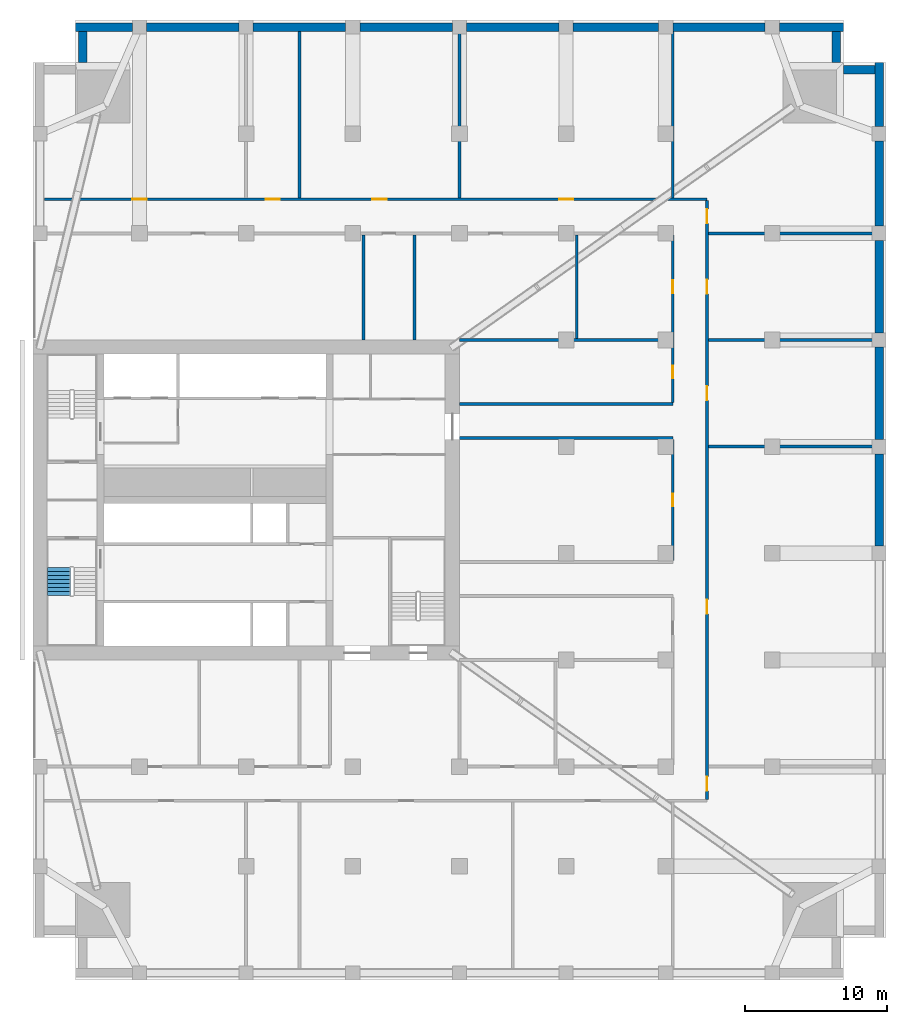
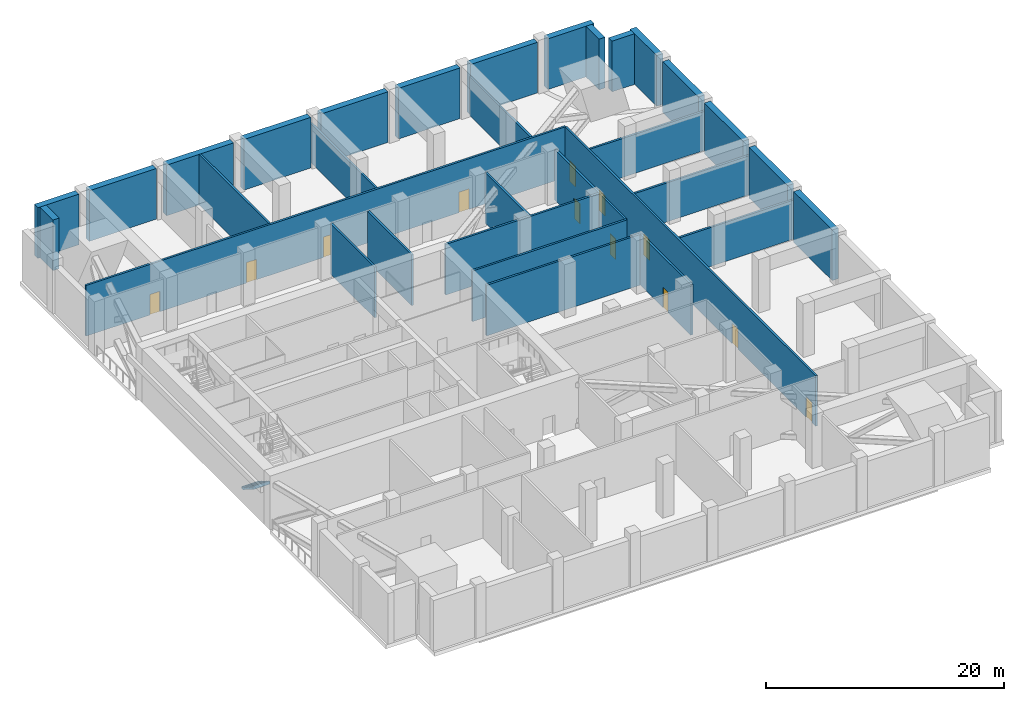
# One storey, part 5 of 10: 32 walls, 12 doors, 1 stair flight, 12 openings, 1 element without a shape of its own.
"""IFC4 building model written with IfcOpenShell, lengths in metres."""

from ifc_helpers import new_model, si_unit, direction, frame, frame_2d, origin, place, context, subcontext, project, spatial, polyline, rectangle, outline, extrude, material, layer, layer_set, type_object, element, fill, aggregate, save


model = new_model("IFC4")

# Units and contexts
model_context = context("Model", 3, precision=1e-05, world=origin(), true_north=direction((0.0, 1.0)))
body_context = subcontext(model_context, "Body", "Model", "MODEL_VIEW")
ifc_project = project(units=[si_unit("LENGTHUNIT", "METRE"), si_unit("AREAUNIT", "SQUARE_METRE"), si_unit("VOLUMEUNIT", "CUBIC_METRE"), si_unit("PLANEANGLEUNIT", "RADIAN"), si_unit("MASSUNIT", "GRAM", prefix="KILO")], contexts=[model_context])

# Site, building, storey
site_placement = place(None, origin())
site = spatial("IfcSite", under=ifc_project, at=site_placement, CompositionType="ELEMENT")
building_placement = place(site_placement, origin())
building = spatial("IfcBuilding", under=site, at=building_placement, Name="Tamorin Gate", CompositionType="ELEMENT")
storey_placement = place(building_placement, frame((0.0, 0.0, 118.699951171875)))
storey = spatial("IfcBuildingStorey", under=building, at=storey_placement, Name="L29", CompositionType="ELEMENT", Elevation=118.699951171875)

# Walls
ifc_material_1 = material(Name="Aluminium louvres in concrete frame", Category="concrete")
ifc_layer_1 = layer(ifc_material_1, 0.60009765625)
ifc_layer_set_1 = layer_set([ifc_layer_1], Name="Louvred plant wall 600")
wall_type_1 = type_object("IfcWallType", Name="Louvred plant wall 600", PredefinedType="ELEMENTEDWALL", material=ifc_layer_set_1)
for number, where, z_axis, x_axis, name in (
    (1, (89.5, 68.0, 0.0), (0.0, 0.0, 1.0), (0.0, 1.0, 0.0), "Louvred plant wall"),
    (2, (89.5, 75.5, 0.0), (0.0, 0.0, 1.0), (0.0, 1.0, 0.0), "Louvred plant wall"),
    (3, (89.5, 83.0, 0.0), (0.0, 0.0, 1.0), (0.0, 1.0, 0.0), "Louvred plant wall"),
):
    element("IfcWall", number, at=place(storey_placement, frame(where, z_axis=z_axis, x_axis=x_axis)), inside=storey, type_object=wall_type_1, Name=name, PredefinedType="ELEMENTEDWALL", context=body_context, shape_type="SweptSolid", body=[
        extrude(rectangle(XDim=6.5, YDim=0.60009765625, at=frame_2d((3.25, 0.0))), origin(), (0.0, 0.0, 1.0), 5.199951171875),
    ])
wall_1_placement = place(storey_placement, frame((89.5, 90.5, 0.0), z_axis=(0.0, 0.0, 1.0), x_axis=(0.0, 1.0, 0.0)))
element("IfcWall", 4, at=wall_1_placement, inside=storey, type_object=wall_type_1, Name="Louvred plant wall", PredefinedType="ELEMENTEDWALL", context=body_context, shape_type="SweptSolid", body=[
    extrude(rectangle(XDim=6.0, YDim=0.60009765625, at=frame_2d((3.0, 0.0))), origin(), (0.0, 0.0, 1.0), 5.199951171875),
])
wall_2_placement = place(storey_placement, frame((89.5, 97.5, 0.0), z_axis=(0.0, 0.0, 1.0), x_axis=(0.0, 1.0, 0.0)))
element("IfcWall", 5, at=wall_2_placement, inside=storey, type_object=wall_type_1, Name="Louvred plant wall", PredefinedType="ELEMENTEDWALL", context=body_context, shape_type="SweptSolid", body=[
    extrude(rectangle(XDim=4.5, YDim=0.60009765625, at=frame_2d((2.25, 0.0))), origin(), (0.0, 0.0, 1.0), 5.199951171875),
])
for number, where, z_axis, x_axis, name in (
    (6, (89.199951171875, 101.5, 0.0), (0.0, 0.0, 1.0), (-1.0, 0.0, 0.0), "Louvred plant wall"),
    (7, (86.5, 102.0, 0.0), (0.0, 0.0, 1.0), (0.0, 1.0, 0.0), "Louvred plant wall"),
):
    element("IfcWall", number, at=place(storey_placement, frame(where, z_axis=z_axis, x_axis=x_axis)), inside=storey, type_object=wall_type_1, Name=name, PredefinedType="ELEMENTEDWALL", context=body_context, shape_type="SweptSolid", body=[
        extrude(rectangle(XDim=2.199951171875, YDim=0.60009765625, at=frame_2d((1.10009765625, 0.0))), origin(), (0.0, 0.0, 1.0), 5.199951171875),
    ])
wall_3_placement = place(storey_placement, frame((87.0, 104.5, 0.0), z_axis=(0.0, 0.0, 1.0), x_axis=(-1.0, 0.0, 0.0)))
element("IfcWall", 8, at=wall_3_placement, inside=storey, type_object=wall_type_1, Name="Louvred plant wall", PredefinedType="ELEMENTEDWALL", context=body_context, shape_type="SweptSolid", body=[
    extrude(rectangle(XDim=4.5, YDim=0.60009765625, at=frame_2d((2.25, 0.0))), origin(), (0.0, 0.0, 1.0), 5.199951171875),
])
wall_4_placement = place(storey_placement, frame((81.5, 104.5, 0.0), z_axis=(0.0, 0.0, 1.0), x_axis=(-1.0, 0.0, 0.0)))
element("IfcWall", 9, at=wall_4_placement, inside=storey, type_object=wall_type_1, Name="Louvred plant wall", PredefinedType="ELEMENTEDWALL", context=body_context, shape_type="SweptSolid", body=[
    extrude(rectangle(XDim=6.5, YDim=0.60009765625, at=frame_2d((3.25, 0.0))), origin(), (0.0, 0.0, 1.0), 5.199951171875),
])
wall_5_placement = place(storey_placement, frame((74.0, 104.5, 0.0), z_axis=(0.0, 0.0, 1.0), x_axis=(-1.0, 0.0, 0.0)))
element("IfcWall", 10, at=wall_5_placement, inside=storey, type_object=wall_type_1, Name="Louvred plant wall", PredefinedType="ELEMENTEDWALL", context=body_context, shape_type="SweptSolid", body=[
    extrude(rectangle(XDim=6.0, YDim=0.60009765625, at=frame_2d((3.0, 0.0))), origin(), (0.0, 0.0, 1.0), 5.199951171875),
])
for number, where, z_axis, x_axis, name in (
    (11, (67.0, 104.5, 0.0), (0.0, 0.0, 1.0), (-1.0, 0.0, 0.0), "Louvred plant wall"),
    (12, (59.5, 104.5, 0.0), (0.0, 0.0, 1.0), (-1.0, 0.0, 0.0), "Louvred plant wall"),
    (13, (52.0, 104.5, 0.0), (0.0, 0.0, 1.0), (-1.0, 0.0, 0.0), "Louvred plant wall"),
    (14, (44.5, 104.5, 0.0), (0.0, 0.0, 1.0), (-1.0, 0.0, 0.0), "Louvred plant wall"),
):
    element("IfcWall", number, at=place(storey_placement, frame(where, z_axis=z_axis, x_axis=x_axis)), inside=storey, type_object=wall_type_1, Name=name, PredefinedType="ELEMENTEDWALL", context=body_context, shape_type="SweptSolid", body=[
        extrude(rectangle(XDim=6.5, YDim=0.60009765625, at=frame_2d((3.25, 0.0))), origin(), (0.0, 0.0, 1.0), 5.199951171875),
    ])
wall_6_placement = place(storey_placement, frame((37.0, 104.5, 0.0), z_axis=(0.0, 0.0, 1.0), x_axis=(-1.0, 0.0, 0.0)))
element("IfcWall", 15, at=wall_6_placement, inside=storey, type_object=wall_type_1, Name="Louvred plant wall", PredefinedType="ELEMENTEDWALL", context=body_context, shape_type="SweptSolid", body=[
    extrude(rectangle(XDim=4.0, YDim=0.60009765625, at=frame_2d((2.0, 0.0))), origin(), (0.0, 0.0, 1.0), 5.199951171875),
])
wall_7_placement = place(storey_placement, frame((33.5, 104.199951171875, 0.0), z_axis=(0.0, 0.0, 1.0), x_axis=(0.0, -1.0, 0.0)))
element("IfcWall", 16, at=wall_7_placement, inside=storey, type_object=wall_type_1, Name="Louvred plant wall", PredefinedType="ELEMENTEDWALL", context=body_context, shape_type="SweptSolid", body=[
    extrude(rectangle(XDim=2.199951171875, YDim=0.60009765625, at=frame_2d((1.10009765625, 0.0))), origin(), (0.0, 0.0, 1.0), 5.199951171875),
])
ifc_material_2 = material(Name="Gypsum board partition")
ifc_layer_2 = layer(ifc_material_2, 0.199951171875)
ifc_layer_set_2 = layer_set([ifc_layer_2], Name="Plant and refuge wall 200")
wall_type_2 = type_object("IfcWallType", Name="Plant and refuge wall 200", PredefinedType="PARTITIONING", material=ifc_layer_set_2)
wall_8_placement = place(storey_placement, frame((77.5, 75.0, 0.0), z_axis=(0.0, 0.0, 1.0), x_axis=(1.0, 0.0, 0.0)))
element("IfcWall", 17, at=wall_8_placement, inside=storey, type_object=wall_type_2, Name="Plant and refuge wall 200", PredefinedType="PARTITIONING", context=body_context, shape_type="SweptSolid", body=[
    extrude(rectangle(XDim=12.5, YDim=0.199951171875, at=frame_2d((6.25, 0.0))), origin(), (0.0, 0.0, 1.0), 4.0),
])
for number, where, z_axis, x_axis, name in (
    (18, (60.0, 75.60009765625, 0.0), (0.0, 0.0, 1.0), (1.0, 0.0, 0.0), "Plant and refuge wall 200"),
    (19, (60.0, 78.0, 0.0), (0.0, 0.0, 1.0), (1.0, 0.0, 0.0), "Plant and refuge wall 200"),
):
    element("IfcWall", number, at=place(storey_placement, frame(where, z_axis=z_axis, x_axis=x_axis)), inside=storey, type_object=wall_type_2, Name=name, PredefinedType="PARTITIONING", context=body_context, shape_type="SweptSolid", body=[
        extrude(rectangle(XDim=15.0, YDim=0.199951171875, at=frame_2d((7.5, 0.0))), origin(), (0.0, 0.0, 1.0), 5.199951171875),
    ])
wall_9_placement = place(storey_placement, frame((60.0, 82.5, 0.0), z_axis=(0.0, 0.0, 1.0), x_axis=(1.0, 0.0, 0.0)))
element("IfcWall", 20, at=wall_9_placement, inside=storey, type_object=wall_type_2, Name="Plant and refuge wall 200", PredefinedType="PARTITIONING", context=body_context, shape_type="SweptSolid", body=[
    extrude(rectangle(XDim=14.89990234375, YDim=0.199951171875, at=frame_2d((7.449951171875, 0.0))), origin(), (0.0, 0.0, 1.0), 5.199951171875),
])
for number, where, z_axis, x_axis, name in (
    (21, (77.5, 82.5, 0.0), (0.0, 0.0, 1.0), (1.0, 0.0, 0.0), "Plant and refuge wall 200"),
    (22, (77.5, 90.0, 0.0), (0.0, 0.0, 1.0), (1.0, 0.0, 0.0), "Plant and refuge wall 200"),
):
    element("IfcWall", number, at=place(storey_placement, frame(where, z_axis=z_axis, x_axis=x_axis)), inside=storey, type_object=wall_type_2, Name=name, PredefinedType="PARTITIONING", context=body_context, shape_type="SweptSolid", body=[
        extrude(rectangle(XDim=12.5, YDim=0.199951171875, at=frame_2d((6.25, 0.0))), origin(), (0.0, 0.0, 1.0), 4.0),
    ])

# Wall, openings, doors
wall_10_placement = place(storey_placement, frame((30.81005859375, 92.39990234375, 0.0), z_axis=(0.0, 0.0, 1.0), x_axis=(1.0, 0.0, 0.0)))
wall_10 = element("IfcWall", 23, at=wall_10_placement, inside=storey, type_object=wall_type_2, Name="Plant and refuge wall 200", PredefinedType="PARTITIONING", context=body_context, shape_type="SweptSolid", body=[
    extrude(rectangle(XDim=46.58984375, YDim=0.199951171875, at=frame_2d((23.294921875, 0.0))), origin(), (0.0, 0.0, 1.0), 5.199951171875),
])
opening_1_placement = place(wall_10_placement, frame((6.18994140625, 0.0, 0.0)))
opening_1 = element("IfcOpeningElement", 24, at=opening_1_placement, cuts=wall_10, Name="Opening DPL2005", PredefinedType="OPENING", context=body_context, shape_type="SweptSolid", body=[
    extrude(rectangle(XDim=1.0, YDim=2.10009765625, at=frame_2d((0.5, 1.050048828125))), frame((0.0, 0.10986328125, 0.0), z_axis=(0.0, -1.0, 0.0), x_axis=(1.0, 0.0, 0.0)), (0.0, 0.0, 1.0), 0.219970703125),
])
opening_2_placement = place(wall_10_placement, frame((15.56494140625, 0.0, 0.0)))
opening_2 = element("IfcOpeningElement", 25, at=opening_2_placement, cuts=wall_10, Name="Opening DPL2006", PredefinedType="OPENING", context=body_context, shape_type="SweptSolid", body=[
    extrude(rectangle(XDim=1.0, YDim=2.10009765625, at=frame_2d((0.5, 1.050048828125))), frame((0.0, 0.10986328125, 0.0), z_axis=(0.0, -1.0, 0.0), x_axis=(1.0, 0.0, 0.0)), (0.0, 0.0, 1.0), 0.219970703125),
])
opening_3_placement = place(wall_10_placement, frame((23.06494140625, 0.0, 0.0)))
opening_3 = element("IfcOpeningElement", 26, at=opening_3_placement, cuts=wall_10, Name="Opening DPL2007", PredefinedType="OPENING", context=body_context, shape_type="SweptSolid", body=[
    extrude(rectangle(XDim=1.0, YDim=2.10009765625, at=frame_2d((0.5, 1.050048828125))), frame((0.0, 0.10986328125, 0.0), z_axis=(0.0, -1.0, 0.0), x_axis=(1.0, 0.0, 0.0)), (0.0, 0.0, 1.0), 0.219970703125),
])
opening_4_placement = place(wall_10_placement, frame((36.18994140625, 0.0, 0.0)))
opening_4 = element("IfcOpeningElement", 27, at=opening_4_placement, cuts=wall_10, Name="Opening DPL2008", PredefinedType="OPENING", context=body_context, shape_type="SweptSolid", body=[
    extrude(rectangle(XDim=1.0, YDim=2.10009765625, at=frame_2d((0.5, 1.050048828125))), frame((0.0, 0.10986328125, 0.0), z_axis=(0.0, -1.0, 0.0), x_axis=(1.0, 0.0, 0.0)), (0.0, 0.0, 1.0), 0.219970703125),
])
ifc_material_3 = material(Name="Timber door leaf", Category="wood")
door_type_1 = type_object("IfcDoorType", Name="Door 1000 x 2100 FD60", OperationType="NOTDEFINED", PredefinedType="DOOR", material=ifc_material_3)
door_1_placement = place(opening_1_placement, origin())
door_1 = element("IfcDoor", 28, at=door_1_placement, inside=storey, type_object=door_type_1, Name="Door DPL2005", OperationType="SINGLE_SWING_LEFT", OverallHeight=2.10009765625, OverallWidth=1.0, PredefinedType="DOOR", context=body_context, shape_type="SweptSolid", body=[
    extrude(rectangle(XDim=1.0, YDim=2.10009765625, at=frame_2d((0.5, 1.050048828125))), frame((0.0, 0.02490234375, 0.0), z_axis=(0.0, -1.0, 0.0), x_axis=(1.0, 0.0, 0.0)), (0.0, 0.0, 1.0), 0.050048828125),
])
fill(opening_1, door_1)
door_2_placement = place(opening_2_placement, origin())
door_2 = element("IfcDoor", 29, at=door_2_placement, inside=storey, type_object=door_type_1, Name="Door DPL2006", OperationType="SINGLE_SWING_LEFT", OverallHeight=2.10009765625, OverallWidth=1.0, PredefinedType="DOOR", context=body_context, shape_type="SweptSolid", body=[
    extrude(rectangle(XDim=1.0, YDim=2.10009765625, at=frame_2d((0.5, 1.050048828125))), frame((0.0, 0.02490234375, 0.0), z_axis=(0.0, -1.0, 0.0), x_axis=(1.0, 0.0, 0.0)), (0.0, 0.0, 1.0), 0.050048828125),
])
fill(opening_2, door_2)
door_3_placement = place(opening_3_placement, origin())
door_3 = element("IfcDoor", 30, at=door_3_placement, inside=storey, type_object=door_type_1, Name="Door DPL2007", OperationType="SINGLE_SWING_LEFT", OverallHeight=2.10009765625, OverallWidth=1.0, PredefinedType="DOOR", context=body_context, shape_type="SweptSolid", body=[
    extrude(rectangle(XDim=1.0, YDim=2.10009765625, at=frame_2d((0.5, 1.050048828125))), frame((0.0, 0.02490234375, 0.0), z_axis=(0.0, -1.0, 0.0), x_axis=(1.0, 0.0, 0.0)), (0.0, 0.0, 1.0), 0.050048828125),
])
fill(opening_3, door_3)
door_4_placement = place(opening_4_placement, origin())
door_4 = element("IfcDoor", 31, at=door_4_placement, inside=storey, type_object=door_type_1, Name="Door DPL2008", OperationType="SINGLE_SWING_LEFT", OverallHeight=2.10009765625, OverallWidth=1.0, PredefinedType="DOOR", context=body_context, shape_type="SweptSolid", body=[
    extrude(rectangle(XDim=1.0, YDim=2.10009765625, at=frame_2d((0.5, 1.050048828125))), frame((0.0, 0.02490234375, 0.0), z_axis=(0.0, -1.0, 0.0), x_axis=(1.0, 0.0, 0.0)), (0.0, 0.0, 1.0), 0.050048828125),
])
fill(opening_4, door_4)

# Walls
wall_11_placement = place(storey_placement, frame((48.75, 92.5, 0.0), z_axis=(0.0, 0.0, 1.0), x_axis=(0.0, 1.0, 0.0)))
element("IfcWall", 32, at=wall_11_placement, inside=storey, type_object=wall_type_2, Name="Plant and refuge wall 200", PredefinedType="PARTITIONING", context=body_context, shape_type="SweptSolid", body=[
    extrude(rectangle(XDim=11.68994140625, YDim=0.199951171875, at=frame_2d((5.844970703125, 0.0))), origin(), (0.0, 0.0, 1.0), 5.199951171875),
])
for number, where, z_axis, x_axis, name in (
    (33, (53.25, 82.5, 0.0), (0.0, 0.0, 1.0), (0.0, 1.0, 0.0), "Plant and refuge wall 200"),
    (34, (56.85009765625, 82.5, 0.0), (0.0, 0.0, 1.0), (0.0, 1.0, 0.0), "Plant and refuge wall 200"),
):
    element("IfcWall", number, at=place(storey_placement, frame(where, z_axis=z_axis, x_axis=x_axis)), inside=storey, type_object=wall_type_2, Name=name, PredefinedType="PARTITIONING", context=body_context, shape_type="SweptSolid", body=[
        extrude(rectangle(XDim=7.39990234375, YDim=0.199951171875, at=frame_2d((3.699951171875, 0.0))), origin(), (0.0, 0.0, 1.0), 5.199951171875),
    ])
wall_12_placement = place(storey_placement, frame((60.0, 92.5, 0.0), z_axis=(0.0, 0.0, 1.0), x_axis=(0.0, 1.0, 0.0)))
element("IfcWall", 35, at=wall_12_placement, inside=storey, type_object=wall_type_2, Name="Plant and refuge wall 200", PredefinedType="PARTITIONING", context=body_context, shape_type="SweptSolid", body=[
    extrude(rectangle(XDim=12.5, YDim=0.199951171875, at=frame_2d((6.25, 0.0))), origin(), (0.0, 0.0, 1.0), 4.0),
])
wall_13_placement = place(storey_placement, frame((68.25, 82.60009765625, 0.0), z_axis=(0.0, 0.0, 1.0), x_axis=(0.0, 1.0, 0.0)))
element("IfcWall", 36, at=wall_13_placement, inside=storey, type_object=wall_type_2, Name="Plant and refuge wall 200", PredefinedType="PARTITIONING", context=body_context, shape_type="SweptSolid", body=[
    extrude(rectangle(XDim=7.2998046875, YDim=0.199951171875, at=frame_2d((3.64990234375, 0.0))), origin(), (0.0, 0.0, 1.0), 5.199951171875),
])

# Wall, opening, door
wall_14_placement = place(storey_placement, frame((75.0, 67.0, 0.0), z_axis=(0.0, 0.0, 1.0), x_axis=(0.0, 1.0, 0.0)))
wall_14 = element("IfcWall", 37, at=wall_14_placement, inside=storey, type_object=wall_type_2, Name="Plant and refuge wall 200", PredefinedType="PARTITIONING", context=body_context, shape_type="SweptSolid", body=[
    extrude(rectangle(XDim=8.5, YDim=0.199951171875, at=frame_2d((4.25, 0.0))), origin(), (0.0, 0.0, 1.0), 5.199951171875),
])
opening_5_placement = place(wall_14_placement, frame((3.800048828125, 0.0, 0.0)))
opening_5 = element("IfcOpeningElement", 38, at=opening_5_placement, cuts=wall_14, Name="Opening DPL2024", PredefinedType="OPENING", context=body_context, shape_type="SweptSolid", body=[
    extrude(rectangle(XDim=0.89990234375, YDim=2.10009765625, at=frame_2d((0.449951171875, 1.050048828125))), frame((0.0, 0.10986328125, 0.0), z_axis=(0.0, -1.0, 0.0), x_axis=(1.0, 0.0, 0.0)), (0.0, 0.0, 1.0), 0.219970703125),
])
door_type_2 = type_object("IfcDoorType", Name="Door 900 x 2100 FD60", OperationType="NOTDEFINED", PredefinedType="DOOR", material=ifc_material_3)
door_5_placement = place(opening_5_placement, origin())
door_5 = element("IfcDoor", 39, at=door_5_placement, inside=storey, type_object=door_type_2, Name="Door DPL2024", OperationType="SINGLE_SWING_LEFT", OverallHeight=2.10009765625, OverallWidth=0.89990234375, PredefinedType="DOOR", context=body_context, shape_type="SweptSolid", body=[
    extrude(rectangle(XDim=0.89990234375, YDim=2.10009765625, at=frame_2d((0.449951171875, 1.050048828125))), frame((0.0, 0.02490234375, 0.0), z_axis=(0.0, -1.0, 0.0), x_axis=(1.0, 0.0, 0.0)), (0.0, 0.0, 1.0), 0.050048828125),
])
fill(opening_5, door_5)

# Wall, openings, doors
wall_15_placement = place(storey_placement, frame((75.0, 78.10009765625, 0.0), z_axis=(0.0, 0.0, 1.0), x_axis=(0.0, 1.0, 0.0)))
wall_15 = element("IfcWall", 40, at=wall_15_placement, inside=storey, type_object=wall_type_2, Name="Plant and refuge wall 200", PredefinedType="PARTITIONING", context=body_context, shape_type="SweptSolid", body=[
    extrude(rectangle(XDim=11.7998046875, YDim=0.199951171875, at=frame_2d((5.89990234375, 0.0))), origin(), (0.0, 0.0, 1.0), 5.199951171875),
])
opening_6_placement = place(wall_15_placement, frame((7.699951171875, 0.0, 0.0)))
opening_6 = element("IfcOpeningElement", 41, at=opening_6_placement, cuts=wall_15, Name="Opening DPL2022", PredefinedType="OPENING", context=body_context, shape_type="SweptSolid", body=[
    extrude(rectangle(XDim=0.89990234375, YDim=2.10009765625, at=frame_2d((0.449951171875, 1.050048828125))), frame((0.0, 0.10986328125, 0.0), z_axis=(0.0, -1.0, 0.0), x_axis=(1.0, 0.0, 0.0)), (0.0, 0.0, 1.0), 0.219970703125),
])
opening_7_placement = place(wall_15_placement, frame((1.699951171875, 0.0, 0.0)))
opening_7 = element("IfcOpeningElement", 42, at=opening_7_placement, cuts=wall_15, Name="Opening DPL2025", PredefinedType="OPENING", context=body_context, shape_type="SweptSolid", body=[
    extrude(rectangle(XDim=0.89990234375, YDim=2.10009765625, at=frame_2d((0.449951171875, 1.050048828125))), frame((0.0, 0.10986328125, 0.0), z_axis=(0.0, -1.0, 0.0), x_axis=(1.0, 0.0, 0.0)), (0.0, 0.0, 1.0), 0.219970703125),
])
door_type_3 = type_object("IfcDoorType", Name="Door 900 x 2100 FD30S", OperationType="NOTDEFINED", PredefinedType="DOOR", material=ifc_material_3)
door_6_placement = place(opening_6_placement, origin())
door_6 = element("IfcDoor", 43, at=door_6_placement, inside=storey, type_object=door_type_3, Name="Door DPL2022", OperationType="SINGLE_SWING_LEFT", OverallHeight=2.10009765625, OverallWidth=0.89990234375, PredefinedType="DOOR", context=body_context, shape_type="SweptSolid", body=[
    extrude(rectangle(XDim=0.89990234375, YDim=2.10009765625, at=frame_2d((0.449951171875, 1.050048828125))), frame((0.0, 0.02490234375, 0.0), z_axis=(0.0, -1.0, 0.0), x_axis=(1.0, 0.0, 0.0)), (0.0, 0.0, 1.0), 0.050048828125),
])
fill(opening_6, door_6)
door_7_placement = place(opening_7_placement, origin())
door_7 = element("IfcDoor", 44, at=door_7_placement, inside=storey, type_object=door_type_2, Name="Door DPL2025", OperationType="SINGLE_SWING_LEFT", OverallHeight=2.10009765625, OverallWidth=0.89990234375, PredefinedType="DOOR", context=body_context, shape_type="SweptSolid", body=[
    extrude(rectangle(XDim=0.89990234375, YDim=2.10009765625, at=frame_2d((0.449951171875, 1.050048828125))), frame((0.0, 0.02490234375, 0.0), z_axis=(0.0, -1.0, 0.0), x_axis=(1.0, 0.0, 0.0)), (0.0, 0.0, 1.0), 0.050048828125),
])
fill(opening_7, door_7)

# Wall
wall_16_placement = place(storey_placement, frame((75.0, 92.5, 0.0), z_axis=(0.0, 0.0, 1.0), x_axis=(0.0, 1.0, 0.0)))
element("IfcWall", 45, at=wall_16_placement, inside=storey, type_object=wall_type_2, Name="Plant and refuge wall 200", PredefinedType="PARTITIONING", context=body_context, shape_type="SweptSolid", body=[
    extrude(rectangle(XDim=11.68994140625, YDim=0.199951171875, at=frame_2d((5.844970703125, 0.0))), origin(), (0.0, 0.0, 1.0), 4.0),
])

# Wall, openings, doors
wall_17_placement = place(storey_placement, frame((77.39990234375, 50.199951171875, 0.0), z_axis=(0.0, 0.0, 1.0), x_axis=(0.0, 1.0, 0.0)))
wall_17 = element("IfcWall", 46, at=wall_17_placement, inside=storey, type_object=wall_type_2, Name="Plant and refuge wall 200", PredefinedType="PARTITIONING", context=body_context, shape_type="SweptSolid", body=[
    extrude(rectangle(XDim=42.10009765625, YDim=0.199951171875, at=frame_2d((21.050048828125, 0.0))), origin(), (0.0, 0.0, 1.0), 5.199951171875),
])
opening_8_placement = place(wall_17_placement, frame((13.050048828125, 0.0, 0.0)))
opening_8 = element("IfcOpeningElement", 47, at=opening_8_placement, cuts=wall_17, Name="Opening DPL2009", PredefinedType="OPENING", context=body_context, shape_type="SweptSolid", body=[
    extrude(rectangle(XDim=1.0, YDim=2.10009765625, at=frame_2d((0.5, 1.050048828125))), frame((0.0, 0.10986328125, 0.0), z_axis=(0.0, -1.0, 0.0), x_axis=(1.0, 0.0, 0.0)), (0.0, 0.0, 1.0), 0.219970703125),
])
opening_9_placement = place(wall_17_placement, frame((28.050048828125, 0.0, 0.0)))
opening_9 = element("IfcOpeningElement", 48, at=opening_9_placement, cuts=wall_17, Name="Opening DPL2010", PredefinedType="OPENING", context=body_context, shape_type="SweptSolid", body=[
    extrude(rectangle(XDim=1.0, YDim=2.10009765625, at=frame_2d((0.5, 1.050048828125))), frame((0.0, 0.10986328125, 0.0), z_axis=(0.0, -1.0, 0.0), x_axis=(1.0, 0.0, 0.0)), (0.0, 0.0, 1.0), 0.219970703125),
])
opening_10_placement = place(wall_17_placement, frame((35.550048828125, 0.0, 0.0)))
opening_10 = element("IfcOpeningElement", 49, at=opening_10_placement, cuts=wall_17, Name="Opening DPL2011", PredefinedType="OPENING", context=body_context, shape_type="SweptSolid", body=[
    extrude(rectangle(XDim=1.0, YDim=2.10009765625, at=frame_2d((0.5, 1.050048828125))), frame((0.0, 0.10986328125, 0.0), z_axis=(0.0, -1.0, 0.0), x_axis=(1.0, 0.0, 0.0)), (0.0, 0.0, 1.0), 0.219970703125),
])
opening_11_placement = place(wall_17_placement, frame((0.60009765625, 0.0, 0.0)))
opening_11 = element("IfcOpeningElement", 50, at=opening_11_placement, cuts=wall_17, Name="Opening DPL2012", PredefinedType="OPENING", context=body_context, shape_type="SweptSolid", body=[
    extrude(rectangle(XDim=1.0, YDim=2.10009765625, at=frame_2d((0.5, 1.050048828125))), frame((0.0, 0.10986328125, 0.0), z_axis=(0.0, -1.0, 0.0), x_axis=(1.0, 0.0, 0.0)), (0.0, 0.0, 1.0), 0.219970703125),
])
opening_12_placement = place(wall_17_placement, frame((40.5, 0.0, 0.0)))
opening_12 = element("IfcOpeningElement", 51, at=opening_12_placement, cuts=wall_17, Name="Opening DPL2013", PredefinedType="OPENING", context=body_context, shape_type="SweptSolid", body=[
    extrude(rectangle(XDim=1.0, YDim=2.10009765625, at=frame_2d((0.5, 1.050048828125))), frame((0.0, 0.10986328125, 0.0), z_axis=(0.0, -1.0, 0.0), x_axis=(1.0, 0.0, 0.0)), (0.0, 0.0, 1.0), 0.219970703125),
])
door_type_4 = type_object("IfcDoorType", Name="Door 1000 x 2100 FD30S", OperationType="NOTDEFINED", PredefinedType="DOOR", material=ifc_material_3)
door_8_placement = place(opening_11_placement, origin())
door_8 = element("IfcDoor", 52, at=door_8_placement, inside=storey, type_object=door_type_4, Name="Door DPL2012", OperationType="SINGLE_SWING_LEFT", OverallHeight=2.10009765625, OverallWidth=1.0, PredefinedType="DOOR", context=body_context, shape_type="SweptSolid", body=[
    extrude(rectangle(XDim=1.0, YDim=2.10009765625, at=frame_2d((0.5, 1.050048828125))), frame((0.0, 0.02490234375, 0.0), z_axis=(0.0, -1.0, 0.0), x_axis=(1.0, 0.0, 0.0)), (0.0, 0.0, 1.0), 0.050048828125),
])
fill(opening_11, door_8)
door_9_placement = place(opening_12_placement, origin())
door_9 = element("IfcDoor", 53, at=door_9_placement, inside=storey, type_object=door_type_4, Name="Door DPL2013", OperationType="SINGLE_SWING_LEFT", OverallHeight=2.10009765625, OverallWidth=1.0, PredefinedType="DOOR", context=body_context, shape_type="SweptSolid", body=[
    extrude(rectangle(XDim=1.0, YDim=2.10009765625, at=frame_2d((0.5, 1.050048828125))), frame((0.0, 0.02490234375, 0.0), z_axis=(0.0, -1.0, 0.0), x_axis=(1.0, 0.0, 0.0)), (0.0, 0.0, 1.0), 0.050048828125),
])
fill(opening_12, door_9)
door_10_placement = place(opening_8_placement, origin())
door_10 = element("IfcDoor", 54, at=door_10_placement, inside=storey, type_object=door_type_1, Name="Door DPL2009", OperationType="SINGLE_SWING_RIGHT", OverallHeight=2.10009765625, OverallWidth=1.0, PredefinedType="DOOR", context=body_context, shape_type="SweptSolid", body=[
    extrude(rectangle(XDim=1.0, YDim=2.10009765625, at=frame_2d((0.5, 1.050048828125))), frame((0.0, 0.02490234375, 0.0), z_axis=(0.0, -1.0, 0.0), x_axis=(1.0, 0.0, 0.0)), (0.0, 0.0, 1.0), 0.050048828125),
])
fill(opening_8, door_10)
door_11_placement = place(opening_9_placement, origin())
door_11 = element("IfcDoor", 55, at=door_11_placement, inside=storey, type_object=door_type_1, Name="Door DPL2010", OperationType="SINGLE_SWING_RIGHT", OverallHeight=2.10009765625, OverallWidth=1.0, PredefinedType="DOOR", context=body_context, shape_type="SweptSolid", body=[
    extrude(rectangle(XDim=1.0, YDim=2.10009765625, at=frame_2d((0.5, 1.050048828125))), frame((0.0, 0.02490234375, 0.0), z_axis=(0.0, -1.0, 0.0), x_axis=(1.0, 0.0, 0.0)), (0.0, 0.0, 1.0), 0.050048828125),
])
fill(opening_9, door_11)
door_12_placement = place(opening_10_placement, origin())
door_12 = element("IfcDoor", 56, at=door_12_placement, inside=storey, type_object=door_type_1, Name="Door DPL2011", OperationType="SINGLE_SWING_RIGHT", OverallHeight=2.10009765625, OverallWidth=1.0, PredefinedType="DOOR", context=body_context, shape_type="SweptSolid", body=[
    extrude(rectangle(XDim=1.0, YDim=2.10009765625, at=frame_2d((0.5, 1.050048828125))), frame((0.0, 0.02490234375, 0.0), z_axis=(0.0, -1.0, 0.0), x_axis=(1.0, 0.0, 0.0)), (0.0, 0.0, 1.0), 0.050048828125),
])
fill(opening_10, door_12)

# Stair, stair flight
ifc_material_4 = material(Name="Concrete C40/50", Category="concrete")
stair_type = type_object("IfcStairType", Name="Exit stair", PredefinedType="HALF_TURN_STAIR", material=ifc_material_4)
stair_placement = place(storey_placement, origin())
stair = element("IfcStair", 57, at=stair_placement, inside=storey, type_object=stair_type, Name="L29 stair ST1", PredefinedType="HALF_TURN_STAIR")
stair_flight_type = type_object("IfcStairFlightType", Name="Exit stair flight", PredefinedType="STRAIGHT", material=ifc_material_4)
stair_flight_placement = place(storey_placement, frame((31.824951171875, 66.5, 0.0), z_axis=(0.0, 0.0, 1.0), x_axis=(0.0, -1.0, 0.0)))
stair_flight = element("IfcStairFlight", 58, at=stair_flight_placement, type_object=stair_flight_type, Name="ST1 flight 1", NumberOfRisers=8, NumberOfTreads=7, PredefinedType="STRAIGHT", RiserHeight=0.171875, TreadLength=0.28, context=body_context, shape_type="SweptSolid", body=[
    extrude(outline(polyline([(-0.00048828125, 0.0), (-0.00048828125, 0.001708984375), (-0.00048828125, 0.00341796875), (-0.00048828125, 0.005126953125), (-0.00048828125, 0.0068359375), (-0.00048828125, 0.008544921875), (-0.00048828125, 0.01025390625), (-0.00048828125, 0.011962890625), (-0.00048828125, 0.013671875), (-0.00048828125, 0.015380859375), (-0.00048828125, 0.01708984375), (-0.00048828125, 0.018798828125), (-0.00048828125, 0.0205078125), (-0.00048828125, 0.022216796875), (-0.00048828125, 0.02392578125), (-0.00048828125, 0.025634765625), (-0.00048828125, 0.02734375), (-0.00048828125, 0.02880859375), (-0.00048828125, 0.030517578125), (-0.00048828125, 0.0322265625), (-0.00048828125, 0.033935546875), (-0.00048828125, 0.03564453125), (-0.00048828125, 0.037353515625), (-0.00048828125, 0.0390625), (-0.00048828125, 0.040771484375), (-0.00048828125, 0.04248046875), (-0.00048828125, 0.044189453125), (-0.00048828125, 0.0458984375), (-0.00048828125, 0.047607421875), (-0.00048828125, 0.04931640625), (-0.00048828125, 0.051025390625), (-0.00048828125, 0.052734375), (-0.00048828125, 0.054443359375), (-0.00048828125, 0.05615234375), (-0.00048828125, 0.057861328125), (-0.00048828125, 0.0595703125), (-0.00048828125, 0.061279296875), (-0.00048828125, 0.06298828125), (-0.00048828125, 0.064697265625), (-0.00048828125, 0.06640625), (-0.00048828125, 0.068115234375), (-0.00048828125, 0.06982421875), (-0.00048828125, 0.071533203125), (-0.00048828125, 0.0732421875), (-0.00048828125, 0.074951171875), (-0.00048828125, 0.07666015625), (-0.00048828125, 0.078369140625), (-0.00048828125, 0.080078125), (-0.00048828125, 0.081787109375), (-0.00048828125, 0.08349609375), (-0.00048828125, 0.085205078125), (-0.00048828125, 0.086669921875), (-0.00048828125, 0.08837890625), (-0.00048828125, 0.090087890625), (-0.00048828125, 0.091796875), (-0.00048828125, 0.093505859375), (-0.00048828125, 0.09521484375), (-0.00048828125, 0.096923828125), (-0.00048828125, 0.0986328125), (-0.00048828125, 0.100341796875), (-0.00048828125, 0.10205078125), (-0.00048828125, 0.103759765625), (-0.00048828125, 0.10546875), (-0.00048828125, 0.107177734375), (-0.00048828125, 0.10888671875), (-0.00048828125, 0.110595703125), (-0.00048828125, 0.1123046875), (-0.00048828125, 0.114013671875), (-0.00048828125, 0.11572265625), (-0.00048828125, 0.117431640625), (-0.00048828125, 0.119140625), (-0.00048828125, 0.120849609375), (-0.00048828125, 0.12255859375), (-0.00048828125, 0.124267578125), (-0.00048828125, 0.1259765625), (-0.00048828125, 0.127685546875), (-0.00048828125, 0.12939453125), (-0.00048828125, 0.131103515625), (-0.00048828125, 0.1328125), (-0.00048828125, 0.134521484375), (-0.00048828125, 0.13623046875), (-0.00048828125, 0.137939453125), (-0.00048828125, 0.1396484375), (-0.00048828125, 0.141357421875), (-0.00048828125, 0.14306640625), (-0.00048828125, 0.14453125), (-0.00048828125, 0.146240234375), (-0.00048828125, 0.14794921875), (-0.00048828125, 0.149658203125), (-0.00048828125, 0.1513671875), (-0.00048828125, 0.153076171875), (-0.00048828125, 0.15478515625), (-0.00048828125, 0.156494140625), (-0.00048828125, 0.158203125), (-0.00048828125, 0.159912109375), (-0.00048828125, 0.16162109375), (-0.00048828125, 0.163330078125), (-0.00048828125, 0.1650390625), (-0.00048828125, 0.166748046875), (-0.00048828125, 0.16845703125), (-0.00048828125, 0.170166015625), (-0.00048828125, 0.171875), (0.280029296875, 0.171875), (0.280029296875, 0.34375), (0.56005859375, 0.34375), (0.56005859375, 0.515625), (0.840087890625, 0.515625), (0.840087890625, 0.6875), (1.1201171875, 0.6875), (1.1201171875, 0.859375), (1.39990234375, 0.859375), (1.39990234375, 1.03125), (1.679931640625, 1.03125), (1.679931640625, 1.203125), (1.9599609375, 1.203125), (1.9599609375, 1.375), (1.96044921875, 1.375), (1.96044921875, 1.37158203125), (1.96044921875, 1.3681640625), (1.96044921875, 1.36474609375), (1.96044921875, 1.361328125), (1.96044921875, 1.357666015625), (1.96044921875, 1.354248046875), (1.96044921875, 1.350830078125), (1.96044921875, 1.347412109375), (1.96044921875, 1.343994140625), (1.96044921875, 1.340576171875), (1.96044921875, 1.337158203125), (1.96044921875, 1.333740234375), (1.96044921875, 1.330322265625), (1.96044921875, 1.326904296875), (1.96044921875, 1.3232421875), (1.96044921875, 1.31982421875), (1.96044921875, 1.31640625), (1.96044921875, 1.31298828125), (1.96044921875, 1.3095703125), (1.96044921875, 1.30615234375), (1.96044921875, 1.302734375), (1.96044921875, 1.29931640625), (1.96044921875, 1.2958984375), (1.96044921875, 1.29248046875), (1.96044921875, 1.288818359375), (1.96044921875, 1.285400390625), (1.96044921875, 1.281982421875), (1.96044921875, 1.278564453125), (1.96044921875, 1.275146484375), (1.96044921875, 1.271728515625), (1.96044921875, 1.268310546875), (1.96044921875, 1.264892578125), (1.96044921875, 1.261474609375), (1.96044921875, 1.2578125), (1.96044921875, 1.25439453125), (1.96044921875, 1.2509765625), (1.96044921875, 1.24755859375), (1.96044921875, 1.244140625), (1.96044921875, 1.24072265625), (1.96044921875, 1.2373046875), (1.96044921875, 1.23388671875), (1.96044921875, 1.23046875), (1.96044921875, 1.22705078125), (1.96044921875, 1.223388671875), (1.96044921875, 1.219970703125), (1.96044921875, 1.216552734375), (1.96044921875, 1.213134765625), (1.96044921875, 1.209716796875), (1.96044921875, 1.206298828125), (1.96044921875, 1.202880859375), (1.96044921875, 1.199462890625), (1.96044921875, 1.196044921875), (1.96044921875, 1.192626953125), (1.96044921875, 1.18896484375), (1.96044921875, 1.185546875), (1.96044921875, 1.18212890625), (1.96044921875, 1.1787109375), (1.96044921875, 1.17529296875), (1.96044921875, 1.171875), (1.96044921875, 1.16845703125), (1.96044921875, 1.1650390625), (1.96044921875, 1.16162109375), (1.96044921875, 1.157958984375), (1.96044921875, 1.154541015625), (1.96044921875, 1.151123046875), (1.96044921875, 1.147705078125), (1.96044921875, 1.144287109375), (1.96044921875, 1.140869140625), (1.96044921875, 1.137451171875), (1.96044921875, 1.134033203125), (1.96044921875, 1.130615234375), (1.96044921875, 1.127197265625), (1.96044921875, 1.12353515625), (1.96044921875, 1.1201171875), (1.96044921875, 1.11669921875), (1.96044921875, 1.11328125), (1.96044921875, 1.10986328125), (1.96044921875, 1.1064453125), (1.96044921875, 1.10302734375), (1.96044921875, 1.099609375), (1.96044921875, 1.09619140625), (1.96044921875, 1.0927734375), (1.96044921875, 1.089111328125), (1.96044921875, 1.085693359375), (1.96044921875, 1.082275390625), (1.96044921875, 1.078857421875), (1.96044921875, 1.075439453125), (1.96044921875, 1.072021484375), (1.96044921875, 1.068603515625), (1.96044921875, 1.065185546875), (1.96044921875, 1.061767578125), (1.96044921875, 1.05810546875), (1.96044921875, 1.0546875), (1.96044921875, 1.05126953125), (1.96044921875, 1.0478515625), (1.96044921875, 1.04443359375), (1.96044921875, 1.041015625), (1.96044921875, 1.03759765625), (1.96044921875, 1.0341796875), (1.96044921875, 1.03076171875), (1.96044921875, 1.02734375), (1.9599609375, 1.02734375), (0.28662109375, 0.0), (-0.00048828125, 0.0)])), frame((0.0, 0.824951171875, 0.0), z_axis=(0.0, -1.0, 0.0), x_axis=(1.0, 0.0, 0.0)), (0.0, 0.0, 1.0), 1.64990234375),
])
aggregate(stair, [stair_flight])

save(model, "model.ifc")
